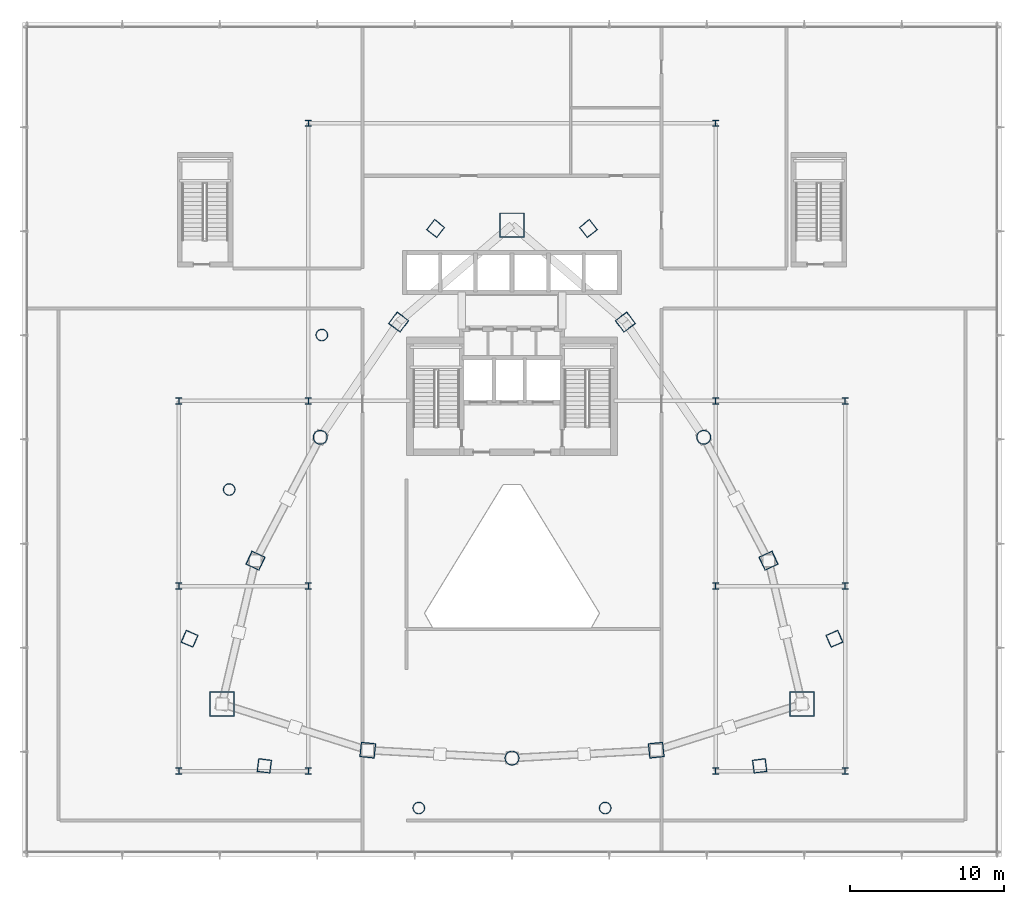
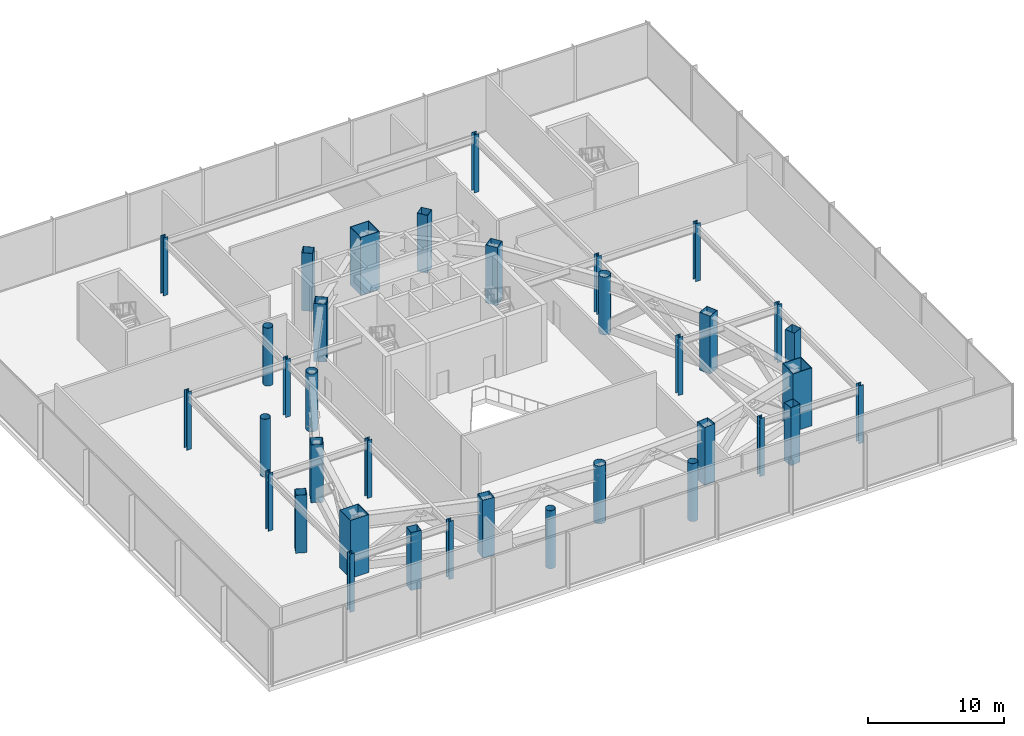
# One storey, part 1 of 43: 36 columns.
"""IFC4 building model written with IfcOpenShell, lengths in metres."""

from ifc_helpers import new_model, si_unit, direction, frame, origin, origin_2d, place, context, subcontext, project, spatial, hollow_rectangle, hollow_circle, i_section, extrude, material, material_profile, profile_set, type_object, element, save


model = new_model("IFC4")

# Units and contexts
model_context = context("Model", 3, precision=1e-05, world=origin(), true_north=direction((0.0, 1.0)))
body_context = subcontext(model_context, "Body", "Model", "MODEL_VIEW")
ifc_project = project(units=[si_unit("LENGTHUNIT", "METRE"), si_unit("AREAUNIT", "SQUARE_METRE"), si_unit("VOLUMEUNIT", "CUBIC_METRE"), si_unit("PLANEANGLEUNIT", "RADIAN"), si_unit("MASSUNIT", "GRAM", prefix="KILO")], contexts=[model_context])

# Site, building, storey
site_placement = place(None, origin())
site = spatial("IfcSite", under=ifc_project, at=site_placement, CompositionType="ELEMENT")
building_placement = place(site_placement, origin())
building = spatial("IfcBuilding", under=site, at=building_placement, Name="Orvanel Arch Residences", CompositionType="ELEMENT")
storey_placement = place(building_placement, frame((0.0, 0.0, 18.39990234375)))
storey = spatial("IfcBuildingStorey", under=building, at=storey_placement, Name="L04", CompositionType="ELEMENT", Elevation=18.39990234375)

# Columns
ifc_material_1 = material(Name="Structural steel AS/NZS 1163 C450L0 (Grade 450)", Category="steel")
ifc_material_profile_1 = material_profile(ifc_material_1, hollow_circle(Radius=0.381103515625, WallThickness=0.02197265625, at=origin_2d()), Name="CHS762x22")
ifc_profile_set_1 = profile_set([ifc_material_profile_1], Name="Structural steel AS/NZS 1163 C450L0 (Grade 450)")
column_type_1 = type_object("IfcColumnType", Name="CC-762", PredefinedType="COLUMN", material=ifc_profile_set_1)
for number, where, z_axis, x_axis, name in (
    (1, (20.669921875, 34.27099609375, 0.0), (0.0, 0.0, 1.0), (1.0, 0.0, 0.0), "L04 Low-Rise Buttress Tube Column 01"),
    (2, (14.662109375, 24.256103515625, 0.0), (0.0, 0.0, 1.0), (1.0, 0.0, 0.0), "L04 Low-Rise Buttress Tube Column 02"),
    (3, (26.9580078125, 3.60498046875, 0.0), (0.0, 0.0, 1.0), (1.0, 0.0, 0.0), "L04 Low-Rise Buttress Tube Column 03"),
    (4, (39.0419921875, 3.60498046875, 0.0), (0.0, 0.0, 1.0), (1.0, 0.0, 0.0), "L04 Low-Rise Buttress Tube Column 04"),
):
    element("IfcColumn", number, at=place(storey_placement, frame(where, z_axis=z_axis, x_axis=x_axis)), inside=storey, type_object=column_type_1, Name=name, PredefinedType="COLUMN", context=body_context, shape_type="SweptSolid", body=[
        extrude(hollow_circle(Radius=0.381103515625, WallThickness=0.02197265625, at=origin_2d()), origin(), (0.0, 0.0, 1.0), 5.2001953125),
    ])
ifc_material_profile_2 = material_profile(ifc_material_1, hollow_circle(Radius=0.45703125, WallThickness=0.02490234375, at=origin_2d()), Name="CHS914x25")
ifc_profile_set_2 = profile_set([ifc_material_profile_2], Name="Structural steel AS/NZS 1163 C450L0 (Grade 450)")
column_type_2 = type_object("IfcColumnType", Name="CC-914", PredefinedType="COLUMN", material=ifc_profile_set_2)
for number, where, z_axis, x_axis, name in (
    (5, (20.569091796875, 27.64111328125, 0.0), (0.0, 0.0, 1.0), (1.0, 0.0, 0.0), "L04 High-Rise Tube Column 02"),
    (6, (33.0, 6.843994140625, 0.0), (0.0, 0.0, 1.0), (1.0, 0.0, 0.0), "L04 High-Rise Tube Column 05"),
    (7, (45.430908203125, 27.64111328125, 0.0), (0.0, 0.0, 1.0), (1.0, 0.0, 0.0), "L04 High-Rise Tube Column 08"),
):
    element("IfcColumn", number, at=place(storey_placement, frame(where, z_axis=z_axis, x_axis=x_axis)), inside=storey, type_object=column_type_2, Name=name, PredefinedType="COLUMN", context=body_context, shape_type="SweptSolid", body=[
        extrude(hollow_circle(Radius=0.45703125, WallThickness=0.02490234375, at=origin_2d()), origin(), (0.0, 0.0, 1.0), 5.2001953125),
    ])
ifc_material_2 = material(Name="Structural steel AS/NZS 3678 Grade 450", Category="steel")
ifc_material_profile_3 = material_profile(ifc_material_2, hollow_rectangle(XDim=1.60009765625, YDim=1.60009765625, WallThickness=0.050048828125, at=origin_2d()), Name="BOX1600x1600x50")
ifc_profile_set_3 = profile_set([ifc_material_profile_3], Name="Structural steel AS/NZS 3678 Grade 450")
column_type_3 = type_object("IfcColumnType", Name="MC-1600", PredefinedType="COLUMN", material=ifc_profile_set_3)
for number, where, z_axis, x_axis, name in (
    (8, (33.0, 41.39794921875, 0.0), (0.0, 0.0, 1.0), (1.0, 0.0, 0.0), "L04 Corner Composite Mega-Column 1"),
    (9, (14.198974609375, 10.35107421875, 0.0), (0.0, 0.0, 1.0), (1.0, 0.0, 0.0), "L04 Corner Composite Mega-Column 2"),
    (10, (51.801025390625, 10.35107421875, 0.0), (0.0, 0.0, 1.0), (1.0, 0.0, 0.0), "L04 Corner Composite Mega-Column 3"),
):
    element("IfcColumn", number, at=place(storey_placement, frame(where, z_axis=z_axis, x_axis=x_axis)), inside=storey, type_object=column_type_3, Name=name, PredefinedType="COLUMN", context=body_context, shape_type="SweptSolid", body=[
        extrude(hollow_rectangle(XDim=1.60009765625, YDim=1.60009765625, WallThickness=0.050048828125, at=origin_2d()), origin(), (0.0, 0.0, 1.0), 5.2001953125),
    ])
ifc_material_3 = material(Name="Structural steel AS/NZS 3679.1 Grade 300 (300 MPa)", Category="steel")
ifc_material_profile_4 = material_profile(ifc_material_3, i_section(OverallWidth=0.39990234375, OverallDepth=0.409912109375, WebThickness=0.02490234375, FlangeThickness=0.035888671875, at=origin_2d()), Name="400WC328")
ifc_profile_set_4 = profile_set([ifc_material_profile_4], Name="Structural steel AS/NZS 3679.1 Grade 300 (300 MPa)")
column_type_4 = type_object("IfcColumnType", Name="SC-400WC", PredefinedType="COLUMN", material=ifc_profile_set_4)
for number, where, z_axis, x_axis, name in (
    (11, (11.39990234375, 6.0, 0.0), (0.0, 0.0, 1.0), (1.0, 0.0, 0.0), "L04 Podium Grid Column 01"),
    (12, (11.39990234375, 18.0, 0.0), (0.0, 0.0, 1.0), (1.0, 0.0, 0.0), "L04 Podium Grid Column 02"),
    (13, (11.39990234375, 30.0, 0.0), (0.0, 0.0, 1.0), (1.0, 0.0, 0.0), "L04 Podium Grid Column 03"),
    (14, (19.800048828125, 6.0, 0.0), (0.0, 0.0, 1.0), (1.0, 0.0, 0.0), "L04 Podium Grid Column 04"),
    (15, (19.800048828125, 18.0, 0.0), (0.0, 0.0, 1.0), (1.0, 0.0, 0.0), "L04 Podium Grid Column 05"),
    (16, (19.800048828125, 30.0, 0.0), (0.0, 0.0, 1.0), (1.0, 0.0, 0.0), "L04 Podium Grid Column 06"),
    (17, (19.800048828125, 48.0, 0.0), (0.0, 0.0, 1.0), (1.0, 0.0, 0.0), "L04 Podium Grid Column 07"),
    (18, (46.199951171875, 6.0, 0.0), (0.0, 0.0, 1.0), (1.0, 0.0, 0.0), "L04 Podium Grid Column 08"),
    (19, (46.199951171875, 18.0, 0.0), (0.0, 0.0, 1.0), (1.0, 0.0, 0.0), "L04 Podium Grid Column 09"),
    (20, (46.199951171875, 30.0, 0.0), (0.0, 0.0, 1.0), (1.0, 0.0, 0.0), "L04 Podium Grid Column 10"),
    (21, (46.199951171875, 48.0, 0.0), (0.0, 0.0, 1.0), (1.0, 0.0, 0.0), "L04 Podium Grid Column 11"),
    (22, (54.60009765625, 6.0, 0.0), (0.0, 0.0, 1.0), (1.0, 0.0, 0.0), "L04 Podium Grid Column 12"),
    (23, (54.60009765625, 18.0, 0.0), (0.0, 0.0, 1.0), (1.0, 0.0, 0.0), "L04 Podium Grid Column 13"),
    (24, (54.60009765625, 30.0, 0.0), (0.0, 0.0, 1.0), (1.0, 0.0, 0.0), "L04 Podium Grid Column 14"),
):
    element("IfcColumn", number, at=place(storey_placement, frame(where, z_axis=z_axis, x_axis=x_axis)), inside=storey, type_object=column_type_4, Name=name, PredefinedType="COLUMN", context=body_context, shape_type="SweptSolid", body=[
        extrude(i_section(OverallWidth=0.39990234375, OverallDepth=0.409912109375, WebThickness=0.02490234375, FlangeThickness=0.035888671875, at=origin_2d()), origin(), (0.0, 0.0, 1.0), 5.2001953125),
    ])
ifc_material_4 = material(Name="Structural steel AS/NZS 3678 Grade 350", Category="steel")
ifc_material_profile_5 = material_profile(ifc_material_4, hollow_rectangle(XDim=0.85009765625, YDim=0.85009765625, WallThickness=0.028076171875, at=origin_2d()), Name="BOX850x850x28")
ifc_profile_set_5 = profile_set([ifc_material_profile_5], Name="Structural steel AS/NZS 3678 Grade 350")
column_type_5 = type_object("IfcColumnType", Name="TC-850", PredefinedType="COLUMN", material=ifc_profile_set_5)
for number, where, z_axis, x_axis, name in (
    (25, (28.050048828125, 41.177978515625, 0.0), (0.0, 0.0, 1.0), (0.623879596709, 0.781520472419, 0.0), "L04 Mid-Rise Buttress Tube Column 01"),
    (26, (12.094970703125, 14.580078125, 0.0), (0.0, 0.0, 1.0), (0.397147890635, 0.917754625684, 0.0), "L04 Mid-Rise Buttress Tube Column 02"),
    (27, (16.94091796875, 6.339111328125, 0.0), (0.0, 0.0, 1.0), (-0.99189444259, 0.127064608601, 0.0), "L04 Mid-Rise Buttress Tube Column 03"),
    (28, (49.05908203125, 6.339111328125, 0.0), (0.0, 0.0, 1.0), (0.99189444259, 0.127064608601, 0.0), "L04 Mid-Rise Buttress Tube Column 04"),
    (29, (53.905029296875, 14.580078125, 0.0), (0.0, 0.0, 1.0), (-0.397147890635, 0.917754625684, 0.0), "L04 Mid-Rise Buttress Tube Column 05"),
    (30, (37.949951171875, 41.177978515625, 0.0), (0.0, 0.0, 1.0), (-0.623879596709, 0.781520472419, 0.0), "L04 Mid-Rise Buttress Tube Column 06"),
):
    element("IfcColumn", number, at=place(storey_placement, frame(where, z_axis=z_axis, x_axis=x_axis)), inside=storey, type_object=column_type_5, Name=name, PredefinedType="COLUMN", context=body_context, shape_type="SweptSolid", body=[
        extrude(hollow_rectangle(XDim=0.85009765625, YDim=0.85009765625, WallThickness=0.028076171875, at=origin_2d()), origin(), (0.0, 0.0, 1.0), 5.2001953125),
    ])
ifc_material_profile_6 = material_profile(ifc_material_4, hollow_rectangle(XDim=0.949951171875, YDim=0.949951171875, WallThickness=0.031982421875, at=origin_2d()), Name="BOX950x950x32")
ifc_profile_set_6 = profile_set([ifc_material_profile_6], Name="Structural steel AS/NZS 3678 Grade 350")
column_type_6 = type_object("IfcColumnType", Name="TC-950", PredefinedType="COLUMN", material=ifc_profile_set_6)
for number, where, z_axis, x_axis, name in (
    (31, (25.64794921875, 35.113037109375, 0.0), (0.0, 0.0, 1.0), (0.600420225326, 0.799684658487, 0.0), "L04 High-Rise Tube Column 01"),
    (32, (16.366943359375, 19.64208984375, 0.0), (0.0, 0.0, 1.0), (0.422618261741, 0.906307787037, 0.0), "L04 High-Rise Tube Column 03"),
    (33, (23.64892578125, 7.35498046875, 0.0), (0.0, 0.0, 1.0), (-0.994880708829, 0.101056297183, 0.0), "L04 High-Rise Tube Column 04"),
    (34, (42.35107421875, 7.35498046875, 0.0), (0.0, 0.0, 1.0), (0.994880708829, 0.101056297183, 0.0), "L04 High-Rise Tube Column 06"),
    (35, (49.633056640625, 19.64208984375, 0.0), (0.0, 0.0, 1.0), (-0.422618261741, 0.906307787037, 0.0), "L04 High-Rise Tube Column 07"),
    (36, (40.35205078125, 35.113037109375, 0.0), (0.0, 0.0, 1.0), (-0.600420225326, 0.799684658487, 0.0), "L04 High-Rise Tube Column 09"),
):
    element("IfcColumn", number, at=place(storey_placement, frame(where, z_axis=z_axis, x_axis=x_axis)), inside=storey, type_object=column_type_6, Name=name, PredefinedType="COLUMN", context=body_context, shape_type="SweptSolid", body=[
        extrude(hollow_rectangle(XDim=0.949951171875, YDim=0.949951171875, WallThickness=0.031982421875, at=origin_2d()), origin(), (0.0, 0.0, 1.0), 5.2001953125),
    ])

save(model, "model.ifc")
